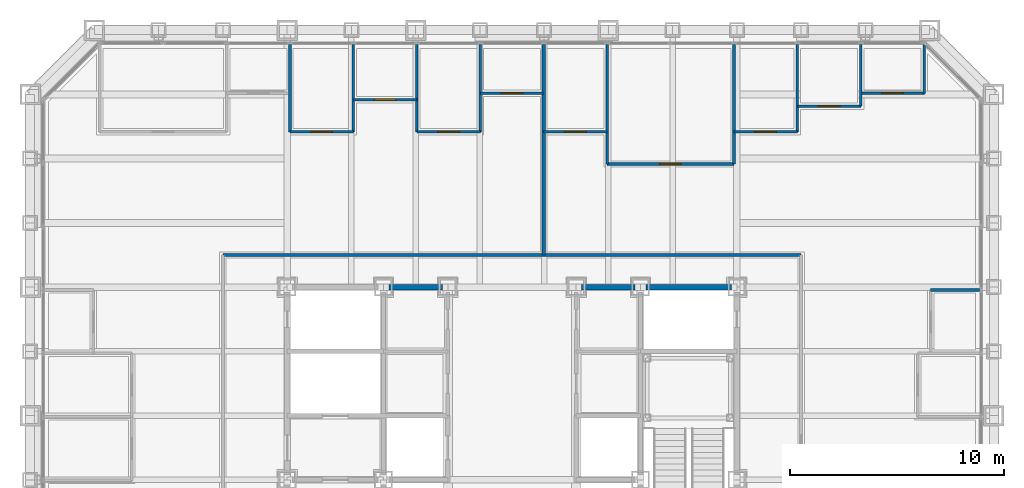
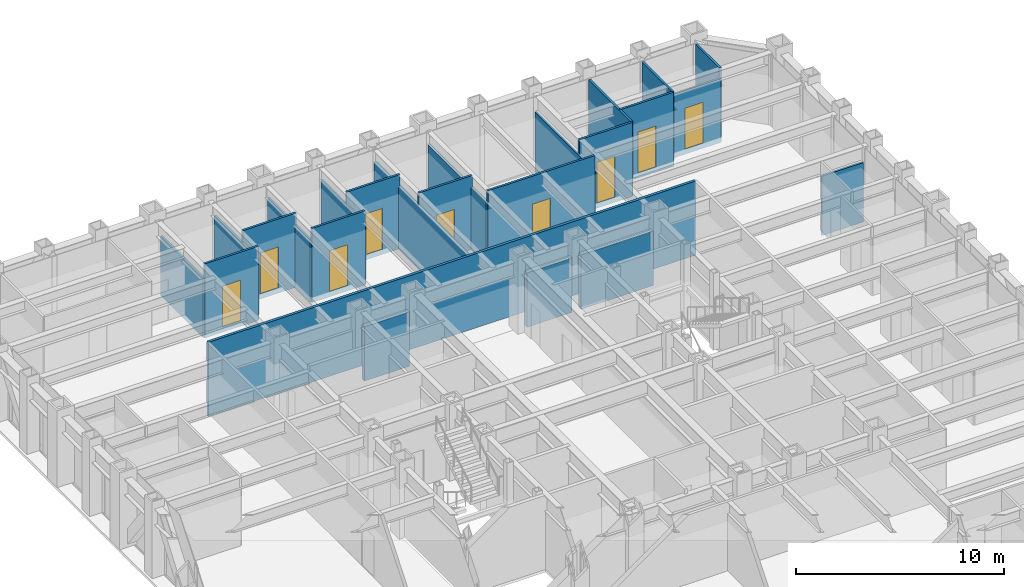
# One storey, part 11 of 16: 24 walls, 9 doors, 9 openings.
"""IFC4 building model written with IfcOpenShell, lengths in metres."""

from ifc_helpers import new_model, si_unit, direction, frame, frame_2d, origin, place, context, subcontext, project, spatial, rectangle, extrude, material, layer, layer_set, type_object, element, fill, save


model = new_model("IFC4")

# Units and contexts
model_context = context("Model", 3, precision=1e-05, world=origin(), true_north=direction((0.0, 1.0)))
body_context = subcontext(model_context, "Body", "Model", "MODEL_VIEW")
ifc_project = project(units=[si_unit("LENGTHUNIT", "METRE"), si_unit("AREAUNIT", "SQUARE_METRE"), si_unit("VOLUMEUNIT", "CUBIC_METRE"), si_unit("PLANEANGLEUNIT", "RADIAN"), si_unit("MASSUNIT", "GRAM", prefix="KILO")], contexts=[model_context])

# Site, building, storey
site_placement = place(None, origin())
site = spatial("IfcSite", under=ifc_project, at=site_placement, CompositionType="ELEMENT")
building_placement = place(site_placement, origin())
building = spatial("IfcBuilding", under=site, at=building_placement, Name="Chuquiago Exchange Tower", CompositionType="ELEMENT")
storey_placement = place(building_placement, frame((0.0, 0.0, 55.800048828125)))
storey = spatial("IfcBuildingStorey", under=building, at=storey_placement, Name="L11", CompositionType="ELEMENT", Elevation=55.800048828125)

# Walls
ifc_material_1 = material(Name="Concrete masonry, fully grouted", Category="masonry")
ifc_layer_1 = layer(ifc_material_1, 0.25)
ifc_layer_set_1 = layer_set([ifc_layer_1], Name="W1 core wall 250")
wall_type_1 = type_object("IfcWallType", Name="W1 core wall 250", PredefinedType="SOLIDWALL", material=ifc_layer_set_1)
for number, where, z_axis, x_axis, name in (
    (1, (16.75, 33.0, 0.0), (0.0, 0.0, 1.0), (1.0, 0.0, 0.0), "CW-L11-11-1"),
    (2, (25.75, 33.0, 0.0), (0.0, 0.0, 1.0), (1.0, 0.0, 0.0), "CW-L11-12-0"),
):
    element("IfcWall", number, at=place(storey_placement, frame(where, z_axis=z_axis, x_axis=x_axis)), inside=storey, type_object=wall_type_1, Name=name, PredefinedType="SOLIDWALL", context=body_context, shape_type="SweptSolid", body=[
        extrude(rectangle(XDim=2.5, YDim=0.25, at=frame_2d((1.25, 0.0))), origin(), (0.0, 0.0, 1.0), 3.181396484375),
    ])
wall_1_placement = place(storey_placement, frame((28.75, 33.0, 0.0), z_axis=(0.0, 0.0, 1.0), x_axis=(1.0, 0.0, 0.0)))
element("IfcWall", 3, at=wall_1_placement, inside=storey, type_object=wall_type_1, Name="CW-L11-12-1", PredefinedType="SOLIDWALL", context=body_context, shape_type="SweptSolid", body=[
    extrude(rectangle(XDim=4.0, YDim=0.25, at=frame_2d((2.0, 0.0))), origin(), (0.0, 0.0, 1.0), 3.181396484375),
])
ifc_material_2 = material(Name="Gypsum board on steel studs, acoustic insulation", Category="steel")
ifc_layer_2 = layer(ifc_material_2, 0.14990234375)
ifc_layer_set_2 = layer_set([ifc_layer_2], Name="W11 corridor wall 150")
wall_type_2 = type_object("IfcWallType", Name="W11 corridor wall 150", PredefinedType="PARTITIONING", material=ifc_layer_set_2)
wall_2_placement = place(storey_placement, frame((9.0, 34.5, -0.300048828125), z_axis=(0.0, 0.0, 1.0), x_axis=(1.0, 0.0, 0.0)))
element("IfcWall", 4, at=wall_2_placement, inside=storey, type_object=wall_type_2, Name="PW-L11-CN", PredefinedType="PARTITIONING", context=body_context, shape_type="SweptSolid", body=[
    extrude(rectangle(XDim=27.0, YDim=0.14990234375, at=frame_2d((13.5, 0.0))), origin(), (0.0, 0.0, 1.0), 4.340087890625),
])
ifc_material_3 = material(Name="Gypsum board on twin steel studs, acoustic insulation", Category="steel")
ifc_layer_3 = layer(ifc_material_3, 0.175048828125)
ifc_layer_set_3 = layer_set([ifc_layer_3], Name="W12 tenant demising wall 175")
wall_type_3 = type_object("IfcWallType", Name="W12 tenant demising wall 175", PredefinedType="PARTITIONING", material=ifc_layer_set_3)
wall_3_placement = place(storey_placement, frame((23.98095703125, 44.342529296875, -0.300048828125), z_axis=(0.0, 0.0, 1.0), x_axis=(0.0, -1.0, 0.0)))
element("IfcWall", 5, at=wall_3_placement, inside=storey, type_object=wall_type_3, Name="PW-L11-DN02398", PredefinedType="PARTITIONING", context=body_context, shape_type="SweptSolid", body=[
    extrude(rectangle(XDim=9.842529296875, YDim=0.175048828125, at=frame_2d((4.92138671875, 0.0))), origin(), (0.0, 0.0, 1.0), 3.646484375),
])
ifc_material_4 = material(Name="Gypsum board on steel studs", Category="steel")
ifc_layer_4 = layer(ifc_material_4, 0.1201171875)
ifc_layer_set_4 = layer_set([ifc_layer_4], Name="W4 partition 120")
wall_type_4 = type_object("IfcWallType", Name="W4 partition 120", PredefinedType="PARTITIONING", material=ifc_layer_set_4)
wall_4_placement = place(storey_placement, frame((44.342529296875, 32.8662109375, -0.300048828125), z_axis=(0.0, 0.0, 1.0), x_axis=(-1.0, 0.0, 0.0)))
element("IfcWall", 6, at=wall_4_placement, inside=storey, type_object=wall_type_4, Name="PW-L11-E03287", PredefinedType="PARTITIONING", context=body_context, shape_type="SweptSolid", body=[
    extrude(rectangle(XDim=2.29248046875, YDim=0.1201171875, at=frame_2d((1.146240234375, 0.0))), origin(), (0.0, 0.0, 1.0), 3.4814453125),
])
wall_5_placement = place(storey_placement, frame((12.1337890625, 44.342529296875, -0.300048828125), z_axis=(0.0, 0.0, 1.0), x_axis=(0.0, -1.0, 0.0)))
element("IfcWall", 7, at=wall_5_placement, inside=storey, type_object=wall_type_4, Name="PW-L11-N01213", PredefinedType="PARTITIONING", context=body_context, shape_type="SweptSolid", body=[
    extrude(rectangle(XDim=4.092529296875, YDim=0.1201171875, at=frame_2d((2.04638671875, 0.0))), origin(), (0.0, 0.0, 1.0), 3.4814453125),
])
for number, where, z_axis, x_axis, name in (
    (8, (15.095703125, 44.342529296875, -0.300048828125), (0.0, 0.0, 1.0), (0.0, -1.0, 0.0), "PW-L11-N01510"),
    (9, (18.057373046875, 44.342529296875, -0.300048828125), (0.0, 0.0, 1.0), (0.0, -1.0, 0.0), "PW-L11-N01806"),
    (10, (21.01904296875, 44.342529296875, -0.300048828125), (0.0, 0.0, 1.0), (0.0, -1.0, 0.0), "PW-L11-N02102"),
):
    element("IfcWall", number, at=place(storey_placement, frame(where, z_axis=z_axis, x_axis=x_axis)), inside=storey, type_object=wall_type_4, Name=name, PredefinedType="PARTITIONING", context=body_context, shape_type="SweptSolid", body=[
        extrude(rectangle(XDim=4.092529296875, YDim=0.1201171875, at=frame_2d((2.04638671875, 0.0))), origin(), (0.0, 0.0, 1.0), 3.646484375),
    ])
wall_6_placement = place(storey_placement, frame((26.942626953125, 44.342529296875, -0.300048828125), z_axis=(0.0, 0.0, 1.0), x_axis=(0.0, -1.0, 0.0)))
element("IfcWall", 11, at=wall_6_placement, inside=storey, type_object=wall_type_4, Name="PW-L11-N02694", PredefinedType="PARTITIONING", context=body_context, shape_type="SweptSolid", body=[
    extrude(rectangle(XDim=5.592529296875, YDim=0.1201171875, at=frame_2d((2.79638671875, 0.0))), origin(), (0.0, 0.0, 1.0), 3.646484375),
])
wall_7_placement = place(storey_placement, frame((32.8662109375, 44.342529296875, -0.300048828125), z_axis=(0.0, 0.0, 1.0), x_axis=(0.0, -1.0, 0.0)))
element("IfcWall", 12, at=wall_7_placement, inside=storey, type_object=wall_type_4, Name="PW-L11-N03287", PredefinedType="PARTITIONING", context=body_context, shape_type="SweptSolid", body=[
    extrude(rectangle(XDim=5.592529296875, YDim=0.1201171875, at=frame_2d((2.79638671875, 0.0))), origin(), (0.0, 0.0, 1.0), 3.4814453125),
])
wall_8_placement = place(storey_placement, frame((35.827880859375, 44.342529296875, -0.300048828125), z_axis=(0.0, 0.0, 1.0), x_axis=(0.0, -1.0, 0.0)))
element("IfcWall", 13, at=wall_8_placement, inside=storey, type_object=wall_type_4, Name="PW-L11-N03583", PredefinedType="PARTITIONING", context=body_context, shape_type="SweptSolid", body=[
    extrude(rectangle(XDim=4.092529296875, YDim=0.1201171875, at=frame_2d((2.04638671875, 0.0))), origin(), (0.0, 0.0, 1.0), 4.340087890625),
])
wall_9_placement = place(storey_placement, frame((38.789794921875, 44.342529296875, -0.300048828125), z_axis=(0.0, 0.0, 1.0), x_axis=(0.0, -1.0, 0.0)))
element("IfcWall", 14, at=wall_9_placement, inside=storey, type_object=wall_type_4, Name="PW-L11-N03879", PredefinedType="PARTITIONING", context=body_context, shape_type="SweptSolid", body=[
    extrude(rectangle(XDim=2.892578125, YDim=0.1201171875, at=frame_2d((1.4462890625, 0.0))), origin(), (0.0, 0.0, 1.0), 4.340087890625),
])
wall_10_placement = place(storey_placement, frame((41.75146484375, 44.333984375, -0.300048828125), z_axis=(0.0, 0.0, 1.0), x_axis=(0.0, -1.0, 0.0)))
element("IfcWall", 15, at=wall_10_placement, inside=storey, type_object=wall_type_4, Name="PW-L11-N04175", PredefinedType="PARTITIONING", context=body_context, shape_type="SweptSolid", body=[
    extrude(rectangle(XDim=2.283935546875, YDim=0.1201171875, at=frame_2d((1.14208984375, 0.0))), origin(), (0.0, 0.0, 1.0), 4.340087890625),
])

# Wall, opening, door
wall_11_placement = place(storey_placement, frame((12.1337890625, 40.25, -0.300048828125), z_axis=(0.0, 0.0, 1.0), x_axis=(1.0, 0.0, 0.0)))
wall_11 = element("IfcWall", 16, at=wall_11_placement, inside=storey, type_object=wall_type_4, Name="PW-L11-NF01213", PredefinedType="PARTITIONING", context=body_context, shape_type="SweptSolid", body=[
    extrude(rectangle(XDim=2.9619140625, YDim=0.1201171875, at=frame_2d((1.48095703125, 0.0))), origin(), (0.0, 0.0, 1.0), 4.340087890625),
])
opening_1_placement = place(wall_11_placement, frame((0.98095703125, 0.0, 0.300048828125)))
opening_1 = element("IfcOpeningElement", 17, at=opening_1_placement, cuts=wall_11, Name="Opening L11-039", PredefinedType="OPENING", context=body_context, shape_type="SweptSolid", body=[
    extrude(rectangle(XDim=1.0, YDim=2.39990234375, at=frame_2d((0.5, 1.199951171875))), frame((0.0, 0.070068359375, 0.0), z_axis=(0.0, -1.0, 0.0), x_axis=(1.0, 0.0, 0.0)), (0.0, 0.0, 1.0), 0.14013671875),
])
ifc_material_5 = material(Name="Timber door, laminate faced", Category="wood")
door_type_1 = type_object("IfcDoorType", Name="D9 room door 1000x2400", OperationType="SINGLE_SWING_LEFT", PredefinedType="DOOR", material=ifc_material_5)
door_1_placement = place(opening_1_placement, origin())
door_1 = element("IfcDoor", 18, at=door_1_placement, inside=storey, type_object=door_type_1, Name="Office door", OperationType="SINGLE_SWING_RIGHT", OverallHeight=2.39990234375, OverallWidth=1.0, PredefinedType="DOOR", context=body_context, shape_type="SweptSolid", body=[
    extrude(rectangle(XDim=1.0, YDim=2.39990234375, at=frame_2d((0.5, 1.199951171875))), frame((0.0, 0.02490234375, 0.0), z_axis=(0.0, -1.0, 0.0), x_axis=(1.0, 0.0, 0.0)), (0.0, 0.0, 1.0), 0.050048828125),
])
fill(opening_1, door_1)

wall_12_placement = place(storey_placement, frame((15.095703125, 41.75, -0.300048828125), z_axis=(0.0, 0.0, 1.0), x_axis=(1.0, 0.0, 0.0)))
wall_12 = element("IfcWall", 19, at=wall_12_placement, inside=storey, type_object=wall_type_4, Name="PW-L11-NF01510", PredefinedType="PARTITIONING", context=body_context, shape_type="SweptSolid", body=[
    extrude(rectangle(XDim=2.961669921875, YDim=0.1201171875, at=frame_2d((1.48095703125, 0.0))), origin(), (0.0, 0.0, 1.0), 4.340087890625),
])
opening_2_placement = place(wall_12_placement, frame((0.98095703125, 0.0, 0.300048828125)))
opening_2 = element("IfcOpeningElement", 20, at=opening_2_placement, cuts=wall_12, Name="Opening L11-040", PredefinedType="OPENING", context=body_context, shape_type="SweptSolid", body=[
    extrude(rectangle(XDim=1.0, YDim=2.39990234375, at=frame_2d((0.5, 1.199951171875))), frame((0.0, 0.070068359375, 0.0), z_axis=(0.0, -1.0, 0.0), x_axis=(1.0, 0.0, 0.0)), (0.0, 0.0, 1.0), 0.14013671875),
])
door_2_placement = place(opening_2_placement, origin())
door_2 = element("IfcDoor", 21, at=door_2_placement, inside=storey, type_object=door_type_1, Name="Store door", OperationType="SINGLE_SWING_LEFT", OverallHeight=2.39990234375, OverallWidth=1.0, PredefinedType="DOOR", context=body_context, shape_type="SweptSolid", body=[
    extrude(rectangle(XDim=1.0, YDim=2.39990234375, at=frame_2d((0.5, 1.199951171875))), frame((0.0, 0.02490234375, 0.0), z_axis=(0.0, -1.0, 0.0), x_axis=(1.0, 0.0, 0.0)), (0.0, 0.0, 1.0), 0.050048828125),
])
fill(opening_2, door_2)

wall_13_placement = place(storey_placement, frame((18.057373046875, 40.25, -0.300048828125), z_axis=(0.0, 0.0, 1.0), x_axis=(1.0, 0.0, 0.0)))
wall_13 = element("IfcWall", 22, at=wall_13_placement, inside=storey, type_object=wall_type_4, Name="PW-L11-NF01806", PredefinedType="PARTITIONING", context=body_context, shape_type="SweptSolid", body=[
    extrude(rectangle(XDim=2.961669921875, YDim=0.1201171875, at=frame_2d((1.48095703125, 0.0))), origin(), (0.0, 0.0, 1.0), 4.340087890625),
])
opening_3_placement = place(wall_13_placement, frame((0.98095703125, 0.0, 0.300048828125)))
opening_3 = element("IfcOpeningElement", 23, at=opening_3_placement, cuts=wall_13, Name="Opening L11-041", PredefinedType="OPENING", context=body_context, shape_type="SweptSolid", body=[
    extrude(rectangle(XDim=1.0, YDim=2.39990234375, at=frame_2d((0.5, 1.199951171875))), frame((0.0, 0.070068359375, 0.0), z_axis=(0.0, -1.0, 0.0), x_axis=(1.0, 0.0, 0.0)), (0.0, 0.0, 1.0), 0.14013671875),
])
door_3_placement = place(opening_3_placement, origin())
door_3 = element("IfcDoor", 24, at=door_3_placement, inside=storey, type_object=door_type_1, Name="Trading support room door", OperationType="SINGLE_SWING_RIGHT", OverallHeight=2.39990234375, OverallWidth=1.0, PredefinedType="DOOR", context=body_context, shape_type="SweptSolid", body=[
    extrude(rectangle(XDim=1.0, YDim=2.39990234375, at=frame_2d((0.5, 1.199951171875))), frame((0.0, 0.02490234375, 0.0), z_axis=(0.0, -1.0, 0.0), x_axis=(1.0, 0.0, 0.0)), (0.0, 0.0, 1.0), 0.050048828125),
])
fill(opening_3, door_3)

wall_14_placement = place(storey_placement, frame((21.01904296875, 42.050048828125, -0.300048828125), z_axis=(0.0, 0.0, 1.0), x_axis=(1.0, 0.0, 0.0)))
wall_14 = element("IfcWall", 25, at=wall_14_placement, inside=storey, type_object=wall_type_4, Name="PW-L11-NF02102", PredefinedType="PARTITIONING", context=body_context, shape_type="SweptSolid", body=[
    extrude(rectangle(XDim=2.9619140625, YDim=0.1201171875, at=frame_2d((1.48095703125, 0.0))), origin(), (0.0, 0.0, 1.0), 4.340087890625),
])
opening_4_placement = place(wall_14_placement, frame((0.98095703125, 0.0, 0.300048828125)))
opening_4 = element("IfcOpeningElement", 26, at=opening_4_placement, cuts=wall_14, Name="Opening L11-042", PredefinedType="OPENING", context=body_context, shape_type="SweptSolid", body=[
    extrude(rectangle(XDim=1.0, YDim=2.39990234375, at=frame_2d((0.5, 1.199951171875))), frame((0.0, 0.070068359375, 0.0), z_axis=(0.0, -1.0, 0.0), x_axis=(1.0, 0.0, 0.0)), (0.0, 0.0, 1.0), 0.14013671875),
])
ifc_material_6 = material(Name="Timber frame door, full height glazed panel", Category="wood")
door_type_2 = type_object("IfcDoorType", Name="D14 glazed meeting room door 1000x2400", OperationType="SINGLE_SWING_LEFT", PredefinedType="DOOR", material=ifc_material_6)
door_4_placement = place(opening_4_placement, origin())
door_4 = element("IfcDoor", 27, at=door_4_placement, inside=storey, type_object=door_type_2, Name="Focus room door", OperationType="SINGLE_SWING_RIGHT", OverallHeight=2.39990234375, OverallWidth=1.0, PredefinedType="DOOR", context=body_context, shape_type="SweptSolid", body=[
    extrude(rectangle(XDim=1.0, YDim=2.39990234375, at=frame_2d((0.5, 1.199951171875))), frame((0.0, 0.02490234375, 0.0), z_axis=(0.0, -1.0, 0.0), x_axis=(1.0, 0.0, 0.0)), (0.0, 0.0, 1.0), 0.050048828125),
])
fill(opening_4, door_4)

wall_15_placement = place(storey_placement, frame((23.98095703125, 40.25, -0.300048828125), z_axis=(0.0, 0.0, 1.0), x_axis=(1.0, 0.0, 0.0)))
wall_15 = element("IfcWall", 28, at=wall_15_placement, inside=storey, type_object=wall_type_4, Name="PW-L11-NF02398", PredefinedType="PARTITIONING", context=body_context, shape_type="SweptSolid", body=[
    extrude(rectangle(XDim=2.961669921875, YDim=0.1201171875, at=frame_2d((1.48095703125, 0.0))), origin(), (0.0, 0.0, 1.0), 4.340087890625),
])
opening_5_placement = place(wall_15_placement, frame((0.98095703125, 0.0, 0.300048828125)))
opening_5 = element("IfcOpeningElement", 29, at=opening_5_placement, cuts=wall_15, Name="Opening L11-043", PredefinedType="OPENING", context=body_context, shape_type="SweptSolid", body=[
    extrude(rectangle(XDim=1.0, YDim=2.39990234375, at=frame_2d((0.5, 1.199951171875))), frame((0.0, 0.070068359375, 0.0), z_axis=(0.0, -1.0, 0.0), x_axis=(1.0, 0.0, 0.0)), (0.0, 0.0, 1.0), 0.14013671875),
])
door_5_placement = place(opening_5_placement, origin())
door_5 = element("IfcDoor", 30, at=door_5_placement, inside=storey, type_object=door_type_1, Name="Office door", OperationType="SINGLE_SWING_LEFT", OverallHeight=2.39990234375, OverallWidth=1.0, PredefinedType="DOOR", context=body_context, shape_type="SweptSolid", body=[
    extrude(rectangle(XDim=1.0, YDim=2.39990234375, at=frame_2d((0.5, 1.199951171875))), frame((0.0, 0.02490234375, 0.0), z_axis=(0.0, -1.0, 0.0), x_axis=(1.0, 0.0, 0.0)), (0.0, 0.0, 1.0), 0.050048828125),
])
fill(opening_5, door_5)

wall_16_placement = place(storey_placement, frame((26.942626953125, 38.75, -0.300048828125), z_axis=(0.0, 0.0, 1.0), x_axis=(1.0, 0.0, 0.0)))
wall_16 = element("IfcWall", 31, at=wall_16_placement, inside=storey, type_object=wall_type_4, Name="PW-L11-NF02694", PredefinedType="PARTITIONING", context=body_context, shape_type="SweptSolid", body=[
    extrude(rectangle(XDim=5.923583984375, YDim=0.1201171875, at=frame_2d((2.9619140625, 0.0))), origin(), (0.0, 0.0, 1.0), 4.340087890625),
])
opening_6_placement = place(wall_16_placement, frame((2.4619140625, 0.0, 0.300048828125)))
opening_6 = element("IfcOpeningElement", 32, at=opening_6_placement, cuts=wall_16, Name="Opening L11-044", PredefinedType="OPENING", context=body_context, shape_type="SweptSolid", body=[
    extrude(rectangle(XDim=1.0, YDim=2.39990234375, at=frame_2d((0.5, 1.199951171875))), frame((0.0, 0.070068359375, 0.0), z_axis=(0.0, -1.0, 0.0), x_axis=(1.0, 0.0, 0.0)), (0.0, 0.0, 1.0), 0.14013671875),
])
door_6_placement = place(opening_6_placement, origin())
door_6 = element("IfcDoor", 33, at=door_6_placement, inside=storey, type_object=door_type_1, Name="Market data room door", OperationType="SINGLE_SWING_LEFT", OverallHeight=2.39990234375, OverallWidth=1.0, PredefinedType="DOOR", context=body_context, shape_type="SweptSolid", body=[
    extrude(rectangle(XDim=1.0, YDim=2.39990234375, at=frame_2d((0.5, 1.199951171875))), frame((0.0, 0.02490234375, 0.0), z_axis=(0.0, -1.0, 0.0), x_axis=(1.0, 0.0, 0.0)), (0.0, 0.0, 1.0), 0.050048828125),
])
fill(opening_6, door_6)

wall_17_placement = place(storey_placement, frame((32.8662109375, 40.25, -0.300048828125), z_axis=(0.0, 0.0, 1.0), x_axis=(1.0, 0.0, 0.0)))
wall_17 = element("IfcWall", 34, at=wall_17_placement, inside=storey, type_object=wall_type_4, Name="PW-L11-NF03287", PredefinedType="PARTITIONING", context=body_context, shape_type="SweptSolid", body=[
    extrude(rectangle(XDim=2.961669921875, YDim=0.1201171875, at=frame_2d((1.48095703125, 0.0))), origin(), (0.0, 0.0, 1.0), 4.340087890625),
])
opening_7_placement = place(wall_17_placement, frame((0.98095703125, 0.0, 0.300048828125)))
opening_7 = element("IfcOpeningElement", 35, at=opening_7_placement, cuts=wall_17, Name="Opening L11-045", PredefinedType="OPENING", context=body_context, shape_type="SweptSolid", body=[
    extrude(rectangle(XDim=1.0, YDim=2.39990234375, at=frame_2d((0.5, 1.199951171875))), frame((0.0, 0.070068359375, 0.0), z_axis=(0.0, -1.0, 0.0), x_axis=(1.0, 0.0, 0.0)), (0.0, 0.0, 1.0), 0.14013671875),
])
door_7_placement = place(opening_7_placement, origin())
door_7 = element("IfcDoor", 36, at=door_7_placement, inside=storey, type_object=door_type_1, Name="Office door", OperationType="SINGLE_SWING_RIGHT", OverallHeight=2.39990234375, OverallWidth=1.0, PredefinedType="DOOR", context=body_context, shape_type="SweptSolid", body=[
    extrude(rectangle(XDim=1.0, YDim=2.39990234375, at=frame_2d((0.5, 1.199951171875))), frame((0.0, 0.02490234375, 0.0), z_axis=(0.0, -1.0, 0.0), x_axis=(1.0, 0.0, 0.0)), (0.0, 0.0, 1.0), 0.050048828125),
])
fill(opening_7, door_7)

wall_18_placement = place(storey_placement, frame((35.827880859375, 41.449951171875, -0.300048828125), z_axis=(0.0, 0.0, 1.0), x_axis=(1.0, 0.0, 0.0)))
wall_18 = element("IfcWall", 37, at=wall_18_placement, inside=storey, type_object=wall_type_4, Name="PW-L11-NF03583", PredefinedType="PARTITIONING", context=body_context, shape_type="SweptSolid", body=[
    extrude(rectangle(XDim=2.9619140625, YDim=0.1201171875, at=frame_2d((1.48095703125, 0.0))), origin(), (0.0, 0.0, 1.0), 4.340087890625),
])
opening_8_placement = place(wall_18_placement, frame((0.98095703125, 0.0, 0.300048828125)))
opening_8 = element("IfcOpeningElement", 38, at=opening_8_placement, cuts=wall_18, Name="Opening L11-046", PredefinedType="OPENING", context=body_context, shape_type="SweptSolid", body=[
    extrude(rectangle(XDim=1.0, YDim=2.39990234375, at=frame_2d((0.5, 1.199951171875))), frame((0.0, 0.070068359375, 0.0), z_axis=(0.0, -1.0, 0.0), x_axis=(1.0, 0.0, 0.0)), (0.0, 0.0, 1.0), 0.14013671875),
])
door_8_placement = place(opening_8_placement, origin())
door_8 = element("IfcDoor", 39, at=door_8_placement, inside=storey, type_object=door_type_1, Name="Pantry door", OperationType="SINGLE_SWING_LEFT", OverallHeight=2.39990234375, OverallWidth=1.0, PredefinedType="DOOR", context=body_context, shape_type="SweptSolid", body=[
    extrude(rectangle(XDim=1.0, YDim=2.39990234375, at=frame_2d((0.5, 1.199951171875))), frame((0.0, 0.02490234375, 0.0), z_axis=(0.0, -1.0, 0.0), x_axis=(1.0, 0.0, 0.0)), (0.0, 0.0, 1.0), 0.050048828125),
])
fill(opening_8, door_8)

wall_19_placement = place(storey_placement, frame((38.789794921875, 42.050048828125, -0.300048828125), z_axis=(0.0, 0.0, 1.0), x_axis=(1.0, 0.0, 0.0)))
wall_19 = element("IfcWall", 40, at=wall_19_placement, inside=storey, type_object=wall_type_4, Name="PW-L11-NF03879", PredefinedType="PARTITIONING", context=body_context, shape_type="SweptSolid", body=[
    extrude(rectangle(XDim=2.961669921875, YDim=0.1201171875, at=frame_2d((1.48095703125, 0.0))), origin(), (0.0, 0.0, 1.0), 3.722900390625),
])
opening_9_placement = place(wall_19_placement, frame((0.98095703125, 0.0, 0.300048828125)))
opening_9 = element("IfcOpeningElement", 41, at=opening_9_placement, cuts=wall_19, Name="Opening L11-047", PredefinedType="OPENING", context=body_context, shape_type="SweptSolid", body=[
    extrude(rectangle(XDim=1.0, YDim=2.39990234375, at=frame_2d((0.5, 1.199951171875))), frame((0.0, 0.070068359375, 0.0), z_axis=(0.0, -1.0, 0.0), x_axis=(1.0, 0.0, 0.0)), (0.0, 0.0, 1.0), 0.14013671875),
])
door_9_placement = place(opening_9_placement, origin())
door_9 = element("IfcDoor", 42, at=door_9_placement, inside=storey, type_object=door_type_2, Name="Focus room door", OperationType="SINGLE_SWING_RIGHT", OverallHeight=2.39990234375, OverallWidth=1.0, PredefinedType="DOOR", context=body_context, shape_type="SweptSolid", body=[
    extrude(rectangle(XDim=1.0, YDim=2.39990234375, at=frame_2d((0.5, 1.199951171875))), frame((0.0, 0.02490234375, 0.0), z_axis=(0.0, -1.0, 0.0), x_axis=(1.0, 0.0, 0.0)), (0.0, 0.0, 1.0), 0.050048828125),
])
fill(opening_9, door_9)

save(model, "model.ifc")
